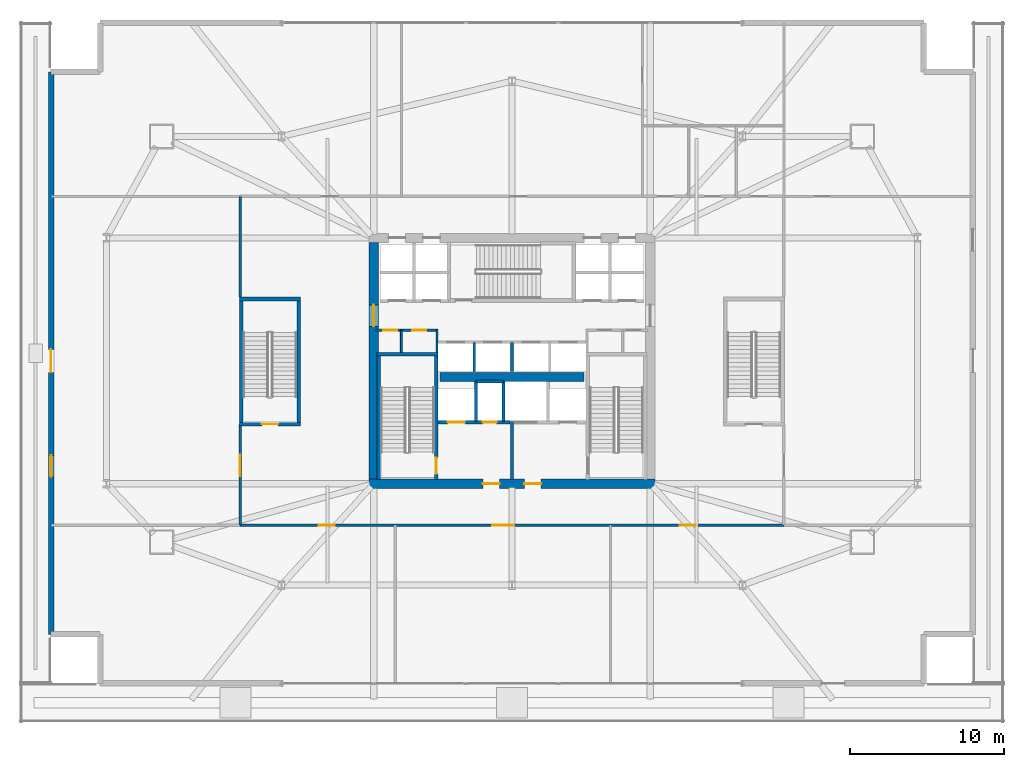
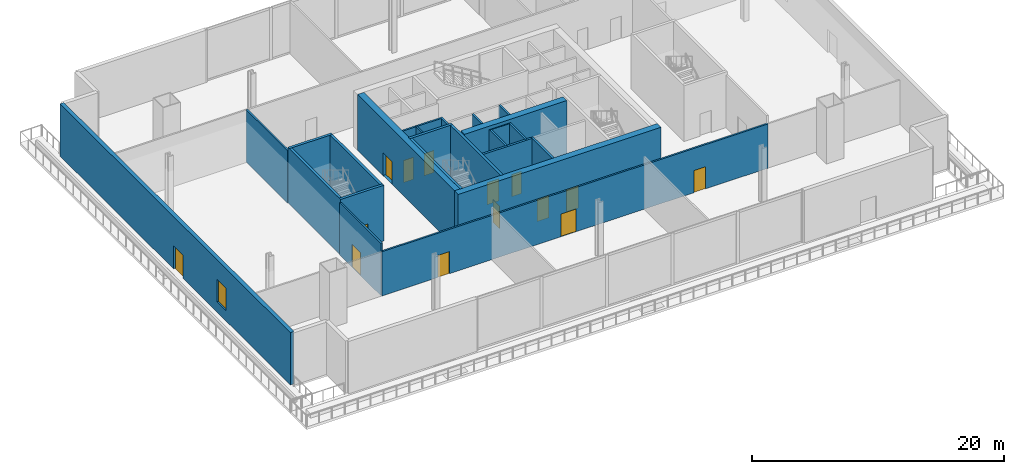
# One storey, part 10 of 20: 24 walls, 14 doors, 1 window, 15 openings.
"""IFC4 building model written with IfcOpenShell, lengths in metres."""

from ifc_helpers import new_model, si_unit, direction, frame, frame_2d, origin, place, context, subcontext, project, spatial, rectangle, extrude, material, layer, layer_set, type_object, element, fill, save


model = new_model("IFC4")

# Units and contexts
model_context = context("Model", 3, precision=1e-05, world=origin(), true_north=direction((0.0, 1.0)))
body_context = subcontext(model_context, "Body", "Model", "MODEL_VIEW")
ifc_project = project(units=[si_unit("LENGTHUNIT", "METRE"), si_unit("AREAUNIT", "SQUARE_METRE"), si_unit("VOLUMEUNIT", "CUBIC_METRE"), si_unit("PLANEANGLEUNIT", "RADIAN"), si_unit("MASSUNIT", "GRAM", prefix="KILO")], contexts=[model_context])

# Site, building, storey
site_placement = place(None, origin())
site = spatial("IfcSite", under=ifc_project, at=site_placement, CompositionType="ELEMENT")
building_placement = place(site_placement, origin())
building = spatial("IfcBuilding", under=site, at=building_placement, Name="Haldenkirk Collegiate Tower", CompositionType="ELEMENT")
storey_placement = place(building_placement, frame((0.0, 0.0, 6.0)))
storey = spatial("IfcBuildingStorey", under=building, at=storey_placement, Name="L01", CompositionType="ELEMENT", Elevation=6.0)

# Wall, openings, doors
ifc_material_1 = material(Name="Concrete f'c 70 MPa", Category="concrete")
ifc_layer_1 = layer(ifc_material_1, 0.60009765625)
ifc_layer_set_1 = layer_set([ifc_layer_1], Name="Concrete f'c 70 MPa")
wall_type_1 = type_object("IfcWallType", Name="WL-CORE-600", PredefinedType="SHEAR", material=ifc_layer_set_1)
wall_1_placement = place(storey_placement, frame((26.699951171875, 18.0, 0.0), z_axis=(0.0, 0.0, 1.0), x_axis=(1.0, 0.0, 0.0)))
wall_1 = element("IfcWall", 1, at=wall_1_placement, inside=storey, type_object=wall_type_1, Name="L01 central core shear wall S", PredefinedType="SHEAR", context=body_context, shape_type="SweptSolid", body=[
    extrude(rectangle(XDim=18.60009765625, YDim=0.60009765625, at=frame_2d((9.300048828125, 0.0))), origin(), (0.0, 0.0, 1.0), 5.39990234375),
])
opening_1_placement = place(wall_1_placement, frame((7.39990234375, 0.0, 0.0)))
opening_1 = element("IfcOpeningElement", 2, at=opening_1_placement, cuts=wall_1, Name="Opening D-02", PredefinedType="OPENING", context=body_context, shape_type="SweptSolid", body=[
    extrude(rectangle(XDim=1.10009765625, YDim=2.14990234375, at=frame_2d((0.550048828125, 1.074951171875))), frame((0.0, 0.31005859375, 0.0), z_axis=(0.0, -1.0, 0.0), x_axis=(1.0, 0.0, 0.0)), (0.0, 0.0, 1.0), 0.6201171875),
])
opening_2_placement = place(wall_1_placement, frame((10.10009765625, 0.0, 0.0)))
opening_2 = element("IfcOpeningElement", 3, at=opening_2_placement, cuts=wall_1, Name="Opening D-02", PredefinedType="OPENING", context=body_context, shape_type="SweptSolid", body=[
    extrude(rectangle(XDim=1.10009765625, YDim=2.14990234375, at=frame_2d((0.550048828125, 1.074951171875))), frame((0.0, 0.31005859375, 0.0), z_axis=(0.0, -1.0, 0.0), x_axis=(1.0, 0.0, 0.0)), (0.0, 0.0, 1.0), 0.6201171875),
])
ifc_material_2 = material(Name="Galvanized fire-rated hollow steel door", Category="steel")
ifc_layer_2 = layer(ifc_material_2, 0.06005859375)
ifc_layer_set_2 = layer_set([ifc_layer_2], Name="Galvanized fire-rated hollow steel door")
door_type_1 = type_object("IfcDoorType", Name="DR-STAIR-FD90-1100", OperationType="NOTDEFINED", PredefinedType="DOOR", material=ifc_layer_set_2)
door_1_placement = place(opening_1_placement, origin())
door_1 = element("IfcDoor", 4, at=door_1_placement, inside=storey, type_object=door_type_1, Name="L01 Firefighting Lobby 1 door", OperationType="SINGLE_SWING_RIGHT", OverallHeight=2.14990234375, OverallWidth=1.10009765625, PredefinedType="DOOR", context=body_context, shape_type="SweptSolid", body=[
    extrude(rectangle(XDim=1.10009765625, YDim=2.14990234375, at=frame_2d((0.550048828125, 1.074951171875))), frame((0.0, 0.02490234375, 0.0), z_axis=(0.0, -1.0, 0.0), x_axis=(1.0, 0.0, 0.0)), (0.0, 0.0, 1.0), 0.050048828125),
])
fill(opening_1, door_1)
door_2_placement = place(opening_2_placement, origin())
door_2 = element("IfcDoor", 5, at=door_2_placement, inside=storey, type_object=door_type_1, Name="L01 Firefighting Lobby 2 door", OperationType="SINGLE_SWING_LEFT", OverallHeight=2.14990234375, OverallWidth=1.10009765625, PredefinedType="DOOR", context=body_context, shape_type="SweptSolid", body=[
    extrude(rectangle(XDim=1.10009765625, YDim=2.14990234375, at=frame_2d((0.550048828125, 1.074951171875))), frame((0.0, 0.02490234375, 0.0), z_axis=(0.0, -1.0, 0.0), x_axis=(1.0, 0.0, 0.0)), (0.0, 0.0, 1.0), 0.050048828125),
])
fill(opening_2, door_2)

# Wall, opening, door
wall_2_placement = place(storey_placement, frame((27.0, 18.300048828125, 0.0), z_axis=(0.0, 0.0, 1.0), x_axis=(0.0, 1.0, 0.0)))
wall_2 = element("IfcWall", 6, at=wall_2_placement, inside=storey, type_object=wall_type_1, Name="L01 central core shear wall W", PredefinedType="SHEAR", context=body_context, shape_type="SweptSolid", body=[
    extrude(rectangle(XDim=15.39990234375, YDim=0.60009765625, at=frame_2d((7.699951171875, 0.0))), origin(), (0.0, 0.0, 1.0), 5.39990234375),
])
opening_3_placement = place(wall_2_placement, frame((9.93994140625, 0.0, 0.0)))
opening_3 = element("IfcOpeningElement", 7, at=opening_3_placement, cuts=wall_2, Name="Opening D-03", PredefinedType="OPENING", context=body_context, shape_type="SweptSolid", body=[
    extrude(rectangle(XDim=1.39990234375, YDim=2.199951171875, at=frame_2d((0.699951171875, 1.10009765625))), frame((0.0, 0.31005859375, 0.0), z_axis=(0.0, -1.0, 0.0), x_axis=(1.0, 0.0, 0.0)), (0.0, 0.0, 1.0), 0.6201171875),
])
ifc_layer_3 = layer(ifc_material_2, 0.06005859375)
ifc_layer_set_3 = layer_set([ifc_layer_3], Name="Galvanized fire-rated hollow steel door")
door_type_2 = type_object("IfcDoorType", Name="DR-LOBBY-FD90-1400", OperationType="NOTDEFINED", PredefinedType="DOOR", material=ifc_layer_set_3)
door_3_placement = place(opening_3_placement, origin())
door_3 = element("IfcDoor", 8, at=door_3_placement, inside=storey, type_object=door_type_2, Name="L01 west lift lobby portal", OperationType="DOUBLE_DOOR_SINGLE_SWING", OverallHeight=2.199951171875, OverallWidth=1.39990234375, PredefinedType="DOOR", context=body_context, shape_type="SweptSolid", body=[
    extrude(rectangle(XDim=1.39990234375, YDim=2.199951171875, at=frame_2d((0.699951171875, 1.10009765625))), frame((0.0, 0.02490234375, 0.0), z_axis=(0.0, -1.0, 0.0), x_axis=(1.0, 0.0, 0.0)), (0.0, 0.0, 1.0), 0.050048828125),
])
fill(opening_3, door_3)

# Wall
wall_3_placement = place(storey_placement, frame((31.31005859375, 24.949951171875, 0.0), z_axis=(0.0, 0.0, 1.0), x_axis=(1.0, 0.0, 0.0)))
element("IfcWall", 9, at=wall_3_placement, inside=storey, type_object=wall_type_1, Name="L01 central core spine shear wall", PredefinedType="SHEAR", context=body_context, shape_type="SweptSolid", body=[
    extrude(rectangle(XDim=9.3798828125, YDim=0.60009765625, at=frame_2d((4.68994140625, 0.0))), origin(), (0.0, 0.0, 1.0), 5.39990234375),
])

# Wall, openings, door, window
ifc_material_3 = material(Name="Precast concrete f'c 40 MPa", Category="concrete")
ifc_layer_4 = layer(ifc_material_3, 0.360107421875)
ifc_layer_set_4 = layer_set([ifc_layer_4], Name="Precast concrete f'c 40 MPa")
wall_type_2 = type_object("IfcWallType", Name="WL-EXT-POD-360", PredefinedType="STANDARD", material=ifc_layer_set_4)
wall_4_placement = place(storey_placement, frame((6.0, 8.199951171875, 0.0), z_axis=(0.0, 0.0, 1.0), x_axis=(0.0, 1.0, 0.0)))
wall_4 = element("IfcWall", 10, at=wall_4_placement, inside=storey, type_object=wall_type_2, Name="L01 podium bronze precast wall 10", PredefinedType="STANDARD", context=body_context, shape_type="SweptSolid", body=[
    extrude(rectangle(XDim=36.60009765625, YDim=0.360107421875, at=frame_2d((18.300048828125, 0.0))), origin(), (0.0, 0.0, 1.0), 5.070068359375),
])
opening_4_placement = place(wall_4_placement, frame((17.050048828125, 0.0, 0.0)))
opening_4 = element("IfcOpeningElement", 11, at=opening_4_placement, cuts=wall_4, Name="Opening D-PT15", PredefinedType="OPENING", context=body_context, shape_type="SweptSolid", body=[
    extrude(rectangle(XDim=1.5, YDim=2.25, at=frame_2d((0.75, 1.125))), frame((0.0, 0.18994140625, 0.0), z_axis=(0.0, -1.0, 0.0), x_axis=(1.0, 0.0, 0.0)), (0.0, 0.0, 1.0), 0.380126953125),
])
opening_5_placement = place(wall_4_placement, frame((10.248046875, 0.0, 1.0)))
opening_5 = element("IfcOpeningElement", 12, at=opening_5_placement, cuts=wall_4, Name="Opening W-02", PredefinedType="OPENING", context=body_context, shape_type="SweptSolid", body=[
    extrude(rectangle(XDim=1.39990234375, YDim=2.199951171875, at=frame_2d((0.699951171875, 1.10009765625))), frame((0.0, 0.18994140625, 0.0), z_axis=(0.0, -1.0, 0.0), x_axis=(1.0, 0.0, 0.0)), (0.0, 0.0, 1.0), 0.380126953125),
])
ifc_material_4 = material(Name="Anodised architectural bronze aluminium", Category="aluminium")
ifc_layer_5 = layer(ifc_material_4, 0.080078125)
ifc_layer_set_5 = layer_set([ifc_layer_5], Name="Anodised architectural bronze aluminium")
door_type_3 = type_object("IfcDoorType", Name="DR-EXT-PTER-1500", OperationType="NOTDEFINED", PredefinedType="DOOR", material=ifc_layer_set_5)
door_4_placement = place(opening_4_placement, origin())
door_4 = element("IfcDoor", 13, at=door_4_placement, inside=storey, type_object=door_type_3, Name="L01 W cascade terrace door", OperationType="DOUBLE_DOOR_SINGLE_SWING", OverallHeight=2.25, OverallWidth=1.5, PredefinedType="DOOR", context=body_context, shape_type="SweptSolid", body=[
    extrude(rectangle(XDim=1.5, YDim=2.25, at=frame_2d((0.75, 1.125))), frame((0.0, 0.02490234375, 0.0), z_axis=(0.0, -1.0, 0.0), x_axis=(1.0, 0.0, 0.0)), (0.0, 0.0, 1.0), 0.050048828125),
])
fill(opening_4, door_4)
ifc_material_5 = material(Name="Low-E argon triple insulating glass", Category="glass")
ifc_layer_6 = layer(ifc_material_5, 0.090087890625)
ifc_layer_set_6 = layer_set([ifc_layer_6], Name="Low-E argon triple insulating glass")
window_type = type_object("IfcWindowType", Name="WN-POD-1400X2200", PartitioningType="SINGLE_PANEL", PredefinedType="WINDOW", material=ifc_layer_set_6)
window_placement = place(opening_5_placement, origin())
window = element("IfcWindow", 14, at=window_placement, inside=storey, type_object=window_type, Name="L01 podium academic window 10A", OverallHeight=2.199951171875, OverallWidth=1.39990234375, PartitioningType="SINGLE_PANEL", PredefinedType="WINDOW", context=body_context, shape_type="SweptSolid", body=[
    extrude(rectangle(XDim=1.39990234375, YDim=2.199951171875, at=frame_2d((0.699951171875, 1.10009765625))), frame((0.0, 0.030029296875, 0.0), z_axis=(0.0, -1.0, 0.0), x_axis=(1.0, 0.0, 0.0)), (0.0, 0.0, 1.0), 0.06005859375),
])
fill(opening_5, window)

# Wall, openings, doors
ifc_material_6 = material(Name="Acoustic fire-rated gypsum partition", Category="concrete")
ifc_layer_7 = layer(ifc_material_6, 0.159912109375)
ifc_layer_set_7 = layer_set([ifc_layer_7], Name="Acoustic fire-rated gypsum partition")
wall_type_3 = type_object("IfcWallType", Name="WL-INT-CORR-160", PredefinedType="PARTITIONING", material=ifc_layer_set_7)
wall_5_placement = place(storey_placement, frame((27.14990234375, 27.97998046875, 0.0), z_axis=(0.0, 0.0, 1.0), x_axis=(1.0, 0.0, 0.0)))
wall_5 = element("IfcWall", 15, at=wall_5_placement, inside=storey, type_object=wall_type_3, Name="L01 interior partition IW-L01-VCSW-N", PredefinedType="PARTITIONING", context=body_context, shape_type="SweptSolid", body=[
    extrude(rectangle(XDim=4.050048828125, YDim=0.159912109375, at=frame_2d((2.02490234375, 0.0))), origin(), (0.0, 0.0, 1.0), 5.070068359375),
])
opening_6_placement = place(wall_5_placement, frame((0.469970703125, 0.0, 0.0)))
opening_6 = element("IfcOpeningElement", 16, at=opening_6_placement, cuts=wall_5, Name="Opening D-11", PredefinedType="OPENING", context=body_context, shape_type="SweptSolid", body=[
    extrude(rectangle(XDim=0.89990234375, YDim=2.14990234375, at=frame_2d((0.449951171875, 1.074951171875))), frame((0.0, 0.08984375, 0.0), z_axis=(0.0, -1.0, 0.0), x_axis=(1.0, 0.0, 0.0)), (0.0, 0.0, 1.0), 0.179931640625),
])
opening_7_placement = place(wall_5_placement, frame((2.360107421875, 0.0, 0.0)))
opening_7 = element("IfcOpeningElement", 17, at=opening_7_placement, cuts=wall_5, Name="Opening D-11", PredefinedType="OPENING", context=body_context, shape_type="SweptSolid", body=[
    extrude(rectangle(XDim=0.89990234375, YDim=2.14990234375, at=frame_2d((0.449951171875, 1.074951171875))), frame((0.0, 0.08984375, 0.0), z_axis=(0.0, -1.0, 0.0), x_axis=(1.0, 0.0, 0.0)), (0.0, 0.0, 1.0), 0.179931640625),
])
ifc_material_7 = material(Name="Solid-core architectural oak fire door", Category="wood")
ifc_layer_8 = layer(ifc_material_7, 0.06005859375)
ifc_layer_set_8 = layer_set([ifc_layer_8], Name="Solid-core architectural oak fire door")
door_type_4 = type_object("IfcDoorType", Name="DR-INT-FD60-900", OperationType="NOTDEFINED", PredefinedType="DOOR", material=ifc_layer_set_8)
door_5_placement = place(opening_6_placement, origin())
door_5 = element("IfcDoor", 18, at=door_5_placement, inside=storey, type_object=door_type_4, Name="L01 core AV closet door", OperationType="SINGLE_SWING_LEFT", OverallHeight=2.14990234375, OverallWidth=0.89990234375, PredefinedType="DOOR", context=body_context, shape_type="SweptSolid", body=[
    extrude(rectangle(XDim=0.89990234375, YDim=2.14990234375, at=frame_2d((0.449951171875, 1.074951171875))), frame((0.0, 0.02490234375, 0.0), z_axis=(0.0, -1.0, 0.0), x_axis=(1.0, 0.0, 0.0)), (0.0, 0.0, 1.0), 0.050048828125),
])
fill(opening_6, door_5)
door_6_placement = place(opening_7_placement, origin())
door_6 = element("IfcDoor", 19, at=door_6_placement, inside=storey, type_object=door_type_4, Name="L01 core supply closet door", OperationType="SINGLE_SWING_RIGHT", OverallHeight=2.14990234375, OverallWidth=0.89990234375, PredefinedType="DOOR", context=body_context, shape_type="SweptSolid", body=[
    extrude(rectangle(XDim=0.89990234375, YDim=2.14990234375, at=frame_2d((0.449951171875, 1.074951171875))), frame((0.0, 0.02490234375, 0.0), z_axis=(0.0, -1.0, 0.0), x_axis=(1.0, 0.0, 0.0)), (0.0, 0.0, 1.0), 0.050048828125),
])
fill(opening_7, door_6)

# Wall
wall_6_placement = place(storey_placement, frame((31.1201171875, 26.5400390625, 0.0), z_axis=(0.0, 0.0, 1.0), x_axis=(0.0, 1.0, 0.0)))
element("IfcWall", 20, at=wall_6_placement, inside=storey, type_object=wall_type_3, Name="L01 interior partition IW-L01-VCSW-E", PredefinedType="PARTITIONING", context=body_context, shape_type="SweptSolid", body=[
    extrude(rectangle(XDim=1.510009765625, YDim=0.159912109375, at=frame_2d((0.7548828125, 0.0))), origin(), (0.0, 0.0, 1.0), 5.070068359375),
])

# Wall, openings, doors
wall_7_placement = place(storey_placement, frame((18.300048828125, 15.300048828125, 0.0), z_axis=(0.0, 0.0, 1.0), x_axis=(1.0, 0.0, 0.0)))
wall_7 = element("IfcWall", 21, at=wall_7_placement, inside=storey, type_object=wall_type_3, Name="L01 interior partition IW-L01-CS", PredefinedType="PARTITIONING", context=body_context, shape_type="SweptSolid", body=[
    extrude(rectangle(XDim=35.39990234375, YDim=0.159912109375, at=frame_2d((17.699951171875, 0.0))), origin(), (0.0, 0.0, 1.0), 4.2919921875),
])
opening_8_placement = place(wall_7_placement, frame((5.125, 0.0, 0.0)))
opening_8 = element("IfcOpeningElement", 22, at=opening_8_placement, cuts=wall_7, Name="Opening D-09", PredefinedType="OPENING", context=body_context, shape_type="SweptSolid", body=[
    extrude(rectangle(XDim=1.050048828125, YDim=2.14990234375, at=frame_2d((0.52490234375, 1.074951171875))), frame((0.0, 0.08984375, 0.0), z_axis=(0.0, -1.0, 0.0), x_axis=(1.0, 0.0, 0.0)), (0.0, 0.0, 1.0), 0.179931640625),
])
opening_9_placement = place(wall_7_placement, frame((16.39990234375, 0.0, 0.0)))
opening_9 = element("IfcOpeningElement", 23, at=opening_9_placement, cuts=wall_7, Name="Opening D-07", PredefinedType="OPENING", context=body_context, shape_type="SweptSolid", body=[
    extrude(rectangle(XDim=1.39990234375, YDim=2.199951171875, at=frame_2d((0.699951171875, 1.10009765625))), frame((0.0, 0.08984375, 0.0), z_axis=(0.0, -1.0, 0.0), x_axis=(1.0, 0.0, 0.0)), (0.0, 0.0, 1.0), 0.179931640625),
])
opening_10_placement = place(wall_7_placement, frame((28.625, 0.0, 0.0)))
opening_10 = element("IfcOpeningElement", 24, at=opening_10_placement, cuts=wall_7, Name="Opening D-09", PredefinedType="OPENING", context=body_context, shape_type="SweptSolid", body=[
    extrude(rectangle(XDim=1.050048828125, YDim=2.14990234375, at=frame_2d((0.52490234375, 1.074951171875))), frame((0.0, 0.08984375, 0.0), z_axis=(0.0, -1.0, 0.0), x_axis=(1.0, 0.0, 0.0)), (0.0, 0.0, 1.0), 0.179931640625),
])
ifc_layer_9 = layer(ifc_material_7, 0.06005859375)
ifc_layer_set_9 = layer_set([ifc_layer_9], Name="Solid-core architectural oak fire door")
door_type_5 = type_object("IfcDoorType", Name="DR-INT-FD60-1050", OperationType="NOTDEFINED", PredefinedType="DOOR", material=ifc_layer_set_9)
door_7_placement = place(opening_8_placement, origin())
door_7 = element("IfcDoor", 25, at=door_7_placement, inside=storey, type_object=door_type_5, Name="L01 south-west door", OperationType="SINGLE_SWING_LEFT", OverallHeight=2.14990234375, OverallWidth=1.050048828125, PredefinedType="DOOR", context=body_context, shape_type="SweptSolid", body=[
    extrude(rectangle(XDim=1.050048828125, YDim=2.14990234375, at=frame_2d((0.52490234375, 1.074951171875))), frame((0.0, 0.02490234375, 0.0), z_axis=(0.0, -1.0, 0.0), x_axis=(1.0, 0.0, 0.0)), (0.0, 0.0, 1.0), 0.050048828125),
])
fill(opening_8, door_7)
door_8_placement = place(opening_10_placement, origin())
door_8 = element("IfcDoor", 26, at=door_8_placement, inside=storey, type_object=door_type_5, Name="L01 south-east door", OperationType="SINGLE_SWING_RIGHT", OverallHeight=2.14990234375, OverallWidth=1.050048828125, PredefinedType="DOOR", context=body_context, shape_type="SweptSolid", body=[
    extrude(rectangle(XDim=1.050048828125, YDim=2.14990234375, at=frame_2d((0.52490234375, 1.074951171875))), frame((0.0, 0.02490234375, 0.0), z_axis=(0.0, -1.0, 0.0), x_axis=(1.0, 0.0, 0.0)), (0.0, 0.0, 1.0), 0.050048828125),
])
fill(opening_10, door_8)
ifc_layer_10 = layer(ifc_material_2, 0.06005859375)
ifc_layer_set_10 = layer_set([ifc_layer_10], Name="Galvanized fire-rated hollow steel door")
door_type_6 = type_object("IfcDoorType", Name="DR-LOBBY-FD60-1400", OperationType="NOTDEFINED", PredefinedType="DOOR", material=ifc_layer_set_10)
door_9_placement = place(opening_9_placement, origin())
door_9 = element("IfcDoor", 27, at=door_9_placement, inside=storey, type_object=door_type_6, Name="L01 south gallery door", OperationType="DOUBLE_DOOR_SINGLE_SWING", OverallHeight=2.199951171875, OverallWidth=1.39990234375, PredefinedType="DOOR", context=body_context, shape_type="SweptSolid", body=[
    extrude(rectangle(XDim=1.39990234375, YDim=2.199951171875, at=frame_2d((0.699951171875, 1.10009765625))), frame((0.0, 0.02490234375, 0.0), z_axis=(0.0, -1.0, 0.0), x_axis=(1.0, 0.0, 0.0)), (0.0, 0.0, 1.0), 0.050048828125),
])
fill(opening_9, door_9)

# Wall, opening, door
wall_8_placement = place(storey_placement, frame((18.300048828125, 15.300048828125, 0.0), z_axis=(0.0, 0.0, 1.0), x_axis=(0.0, 1.0, 0.0)))
wall_8 = element("IfcWall", 28, at=wall_8_placement, inside=storey, type_object=wall_type_3, Name="L01 interior partition IW-L01-CW1", PredefinedType="PARTITIONING", context=body_context, shape_type="SweptSolid", body=[
    extrude(rectangle(XDim=6.550048828125, YDim=0.159912109375, at=frame_2d((3.27490234375, 0.0))), origin(), (0.0, 0.0, 1.0), 5.070068359375),
])
opening_11_placement = place(wall_8_placement, frame((3.199951171875, 0.0, 0.0)))
opening_11 = element("IfcOpeningElement", 29, at=opening_11_placement, cuts=wall_8, Name="Opening D-07", PredefinedType="OPENING", context=body_context, shape_type="SweptSolid", body=[
    extrude(rectangle(XDim=1.39990234375, YDim=2.199951171875, at=frame_2d((0.699951171875, 1.10009765625))), frame((0.0, 0.08984375, 0.0), z_axis=(0.0, -1.0, 0.0), x_axis=(1.0, 0.0, 0.0)), (0.0, 0.0, 1.0), 0.179931640625),
])
door_10_placement = place(opening_11_placement, origin())
door_10 = element("IfcDoor", 30, at=door_10_placement, inside=storey, type_object=door_type_6, Name="L01 west wing door", OperationType="DOUBLE_DOOR_SINGLE_SWING", OverallHeight=2.199951171875, OverallWidth=1.39990234375, PredefinedType="DOOR", context=body_context, shape_type="SweptSolid", body=[
    extrude(rectangle(XDim=1.39990234375, YDim=2.199951171875, at=frame_2d((0.699951171875, 1.10009765625))), frame((0.0, 0.02490234375, 0.0), z_axis=(0.0, -1.0, 0.0), x_axis=(1.0, 0.0, 0.0)), (0.0, 0.0, 1.0), 0.050048828125),
])
fill(opening_11, door_10)

# Walls
wall_9_placement = place(storey_placement, frame((18.300048828125, 30.14990234375, 0.0), z_axis=(0.0, 0.0, 1.0), x_axis=(0.0, 1.0, 0.0)))
element("IfcWall", 31, at=wall_9_placement, inside=storey, type_object=wall_type_3, Name="L01 interior partition IW-L01-CW2", PredefinedType="PARTITIONING", context=body_context, shape_type="SweptSolid", body=[
    extrude(rectangle(XDim=6.550048828125, YDim=0.159912109375, at=frame_2d((3.27490234375, 0.0))), origin(), (0.0, 0.0, 1.0), 5.070068359375),
])
ifc_material_8 = material(Name="Fire-rated gypsum shaftboard assembly", Category="concrete")
ifc_layer_11 = layer(ifc_material_8, 0.179931640625)
ifc_layer_set_11 = layer_set([ifc_layer_11], Name="Fire-rated gypsum shaftboard assembly")
wall_type_4 = type_object("IfcWallType", Name="WL-INT-SHAFT-180", PredefinedType="PARTITIONING", material=ifc_layer_set_11)
for number, where, z_axis, x_axis, name in (
    (32, (33.64990234375, 22.050048828125, 0.0), (0.0, 0.0, 1.0), (0.0, 1.0, 0.0), "L01 interior partition IW-L01-FL1E"),
    (33, (35.449951171875, 22.050048828125, 0.0), (0.0, 0.0, 1.0), (0.0, 1.0, 0.0), "L01 interior partition IW-L01-GL1W"),
):
    element("IfcWall", number, at=place(storey_placement, frame(where, z_axis=z_axis, x_axis=x_axis)), inside=storey, type_object=wall_type_4, Name=name, PredefinedType="PARTITIONING", context=body_context, shape_type="SweptSolid", body=[
        extrude(rectangle(XDim=2.599853515625, YDim=0.179931640625, at=frame_2d((1.2998046875, 0.0))), origin(), (0.0, 0.0, 1.0), 5.070068359375),
    ])
wall_10_placement = place(storey_placement, frame((33.64990234375, 24.64990234375, 0.0), z_axis=(0.0, 0.0, 1.0), x_axis=(1.0, 0.0, 0.0)))
element("IfcWall", 34, at=wall_10_placement, inside=storey, type_object=wall_type_4, Name="L01 interior partition IW-L01-RSRN", PredefinedType="PARTITIONING", context=body_context, shape_type="SweptSolid", body=[
    extrude(rectangle(XDim=1.800048828125, YDim=0.179931640625, at=frame_2d((0.89990234375, 0.0))), origin(), (0.0, 0.0, 1.0), 5.070068359375),
])
for number, where, z_axis, x_axis, name in (
    (35, (33.5400390625, 25.300048828125, 0.0), (0.0, 0.0, 1.0), (0.0, 1.0, 0.0), "L01 interior partition IW-L01-PHV1"),
    (36, (36.0, 25.300048828125, 0.0), (0.0, 0.0, 1.0), (0.0, 1.0, 0.0), "L01 interior partition IW-L01-PHV2"),
):
    element("IfcWall", number, at=place(storey_placement, frame(where, z_axis=z_axis, x_axis=x_axis)), inside=storey, type_object=wall_type_4, Name=name, PredefinedType="PARTITIONING", context=body_context, shape_type="SweptSolid", body=[
        extrude(rectangle(XDim=1.89990234375, YDim=0.179931640625, at=frame_2d((0.949951171875, 0.0))), origin(), (0.0, 0.0, 1.0), 5.070068359375),
    ])
ifc_layer_12 = layer(ifc_material_8, 0.199951171875)
ifc_layer_set_12 = layer_set([ifc_layer_12], Name="Fire-rated gypsum shaftboard assembly")
wall_type_5 = type_object("IfcWallType", Name="WL-INT-SHAFT-200", PredefinedType="PARTITIONING", material=ifc_layer_set_12)
wall_11_placement = place(storey_placement, frame((36.0, 18.280029296875, 0.0), z_axis=(0.0, 0.0, 1.0), x_axis=(0.0, 1.0, 0.0)))
element("IfcWall", 37, at=wall_11_placement, inside=storey, type_object=wall_type_5, Name="L01 interior partition IW-L01-FFLM", PredefinedType="PARTITIONING", context=body_context, shape_type="SweptSolid", body=[
    extrude(rectangle(XDim=3.77001953125, YDim=0.199951171875, at=frame_2d((1.885009765625, 0.0))), origin(), (0.0, 0.0, 1.0), 5.070068359375),
])

# Wall, openings, doors
wall_12_placement = place(storey_placement, frame((31.18994140625, 22.0, 0.0), z_axis=(0.0, 0.0, 1.0), x_axis=(1.0, 0.0, 0.0)))
wall_12 = element("IfcWall", 38, at=wall_12_placement, inside=storey, type_object=wall_type_5, Name="L01 interior partition IW-L01-FFL1N", PredefinedType="PARTITIONING", context=body_context, shape_type="SweptSolid", body=[
    extrude(rectangle(XDim=4.68994140625, YDim=0.199951171875, at=frame_2d((2.344970703125, 0.0))), origin(), (0.0, 0.0, 1.0), 5.070068359375),
])
opening_12_placement = place(wall_12_placement, frame((2.909912109375, 0.0, 0.0)))
opening_12 = element("IfcOpeningElement", 39, at=opening_12_placement, cuts=wall_12, Name="Opening D-06", PredefinedType="OPENING", context=body_context, shape_type="SweptSolid", body=[
    extrude(rectangle(XDim=0.89990234375, YDim=2.14990234375, at=frame_2d((0.449951171875, 1.074951171875))), frame((0.0, 0.10986328125, 0.0), z_axis=(0.0, -1.0, 0.0), x_axis=(1.0, 0.0, 0.0)), (0.0, 0.0, 1.0), 0.219970703125),
])
opening_13_placement = place(wall_12_placement, frame((0.635009765625, 0.0, 0.0)))
opening_13 = element("IfcOpeningElement", 40, at=opening_13_placement, cuts=wall_12, Name="Opening LD-12", PredefinedType="OPENING", context=body_context, shape_type="SweptSolid", body=[
    extrude(rectangle(XDim=1.10009765625, YDim=2.14990234375, at=frame_2d((0.550048828125, 1.074951171875))), frame((0.0, 0.10986328125, 0.0), z_axis=(0.0, -1.0, 0.0), x_axis=(1.0, 0.0, 0.0)), (0.0, 0.0, 1.0), 0.219970703125),
])
ifc_layer_13 = layer(ifc_material_2, 0.06005859375)
ifc_layer_set_13 = layer_set([ifc_layer_13], Name="Galvanized fire-rated hollow steel door")
door_type_7 = type_object("IfcDoorType", Name="DR-INT-FD90-900", OperationType="NOTDEFINED", PredefinedType="DOOR", material=ifc_layer_set_13)
door_11_placement = place(opening_12_placement, origin())
door_11 = element("IfcDoor", 41, at=door_11_placement, inside=storey, type_object=door_type_7, Name="L01 electrical riser door", OperationType="SINGLE_SWING_RIGHT", OverallHeight=2.14990234375, OverallWidth=0.89990234375, PredefinedType="DOOR", context=body_context, shape_type="SweptSolid", body=[
    extrude(rectangle(XDim=0.89990234375, YDim=2.14990234375, at=frame_2d((0.449951171875, 1.074951171875))), frame((0.0, 0.02490234375, 0.0), z_axis=(0.0, -1.0, 0.0), x_axis=(1.0, 0.0, 0.0)), (0.0, 0.0, 1.0), 0.050048828125),
])
fill(opening_12, door_11)
ifc_material_9 = material(Name="Brushed architectural stainless steel", Category="steel")
ifc_layer_14 = layer(ifc_material_9, 0.06005859375)
ifc_layer_set_14 = layer_set([ifc_layer_14], Name="Brushed architectural stainless steel")
door_type_8 = type_object("IfcDoorType", Name="LD-FIRE-1100", OperationType="NOTDEFINED", PredefinedType="DOOR", material=ifc_layer_set_14)
door_12_placement = place(opening_13_placement, origin())
door_12 = element("IfcDoor", 42, at=door_12_placement, inside=storey, type_object=door_type_8, Name="L01 Elevator FL1 sliding landing door", OperationType="SLIDING_TO_LEFT", OverallHeight=2.14990234375, OverallWidth=1.10009765625, PredefinedType="DOOR", context=body_context, shape_type="SweptSolid", body=[
    extrude(rectangle(XDim=1.10009765625, YDim=2.14990234375, at=frame_2d((0.550048828125, 1.074951171875))), frame((0.0, 0.02490234375, 0.0), z_axis=(0.0, -1.0, 0.0), x_axis=(1.0, 0.0, 0.0)), (0.0, 0.0, 1.0), 0.050048828125),
])
fill(opening_13, door_12)

# Wall
ifc_layer_15 = layer(ifc_material_6, 0.1201171875)
ifc_layer_set_15 = layer_set([ifc_layer_15], Name="Acoustic fire-rated gypsum partition")
wall_type_6 = type_object("IfcWallType", Name="WL-INT-WET-120", PredefinedType="PARTITIONING", material=ifc_layer_set_15)
wall_13_placement = place(storey_placement, frame((28.800048828125, 26.5400390625, 0.0), z_axis=(0.0, 0.0, 1.0), x_axis=(0.0, 1.0, 0.0)))
element("IfcWall", 43, at=wall_13_placement, inside=storey, type_object=wall_type_6, Name="L01 interior partition IW-L01-VCSW-M", PredefinedType="PARTITIONING", context=body_context, shape_type="SweptSolid", body=[
    extrude(rectangle(XDim=1.43994140625, YDim=0.1201171875, at=frame_2d((0.719970703125, 0.0))), origin(), (0.0, 0.0, 1.0), 5.070068359375),
])

# Wall, opening, door
ifc_material_10 = material(Name="Concrete f'c 55 MPa", Category="concrete")
ifc_layer_16 = layer(ifc_material_10, 0.239990234375)
ifc_layer_set_16 = layer_set([ifc_layer_16], Name="Concrete f'c 55 MPa")
wall_type_7 = type_object("IfcWallType", Name="WL-SHAFT-240", PredefinedType="SHEAR", material=ifc_layer_set_16)
wall_14_placement = place(storey_placement, frame((31.070068359375, 18.280029296875, 0.0), z_axis=(0.0, 0.0, 1.0), x_axis=(0.0, 1.0, 0.0)))
wall_14 = element("IfcWall", 44, at=wall_14_placement, inside=storey, type_object=wall_type_7, Name="L01 stair shaft shear wall SW-L01-ST1E", PredefinedType="SHEAR", context=body_context, shape_type="SweptSolid", body=[
    extrude(rectangle(XDim=8.260009765625, YDim=0.239990234375, at=frame_2d((4.1298828125, 0.0))), origin(), (0.0, 0.0, 1.0), 5.39990234375),
])
opening_14_placement = place(wall_14_placement, frame((0.364990234375, 0.0, 0.0)))
opening_14 = element("IfcOpeningElement", 45, at=opening_14_placement, cuts=wall_14, Name="Opening D-01", PredefinedType="OPENING", context=body_context, shape_type="SweptSolid", body=[
    extrude(rectangle(XDim=1.050048828125, YDim=2.14990234375, at=frame_2d((0.52490234375, 1.074951171875))), frame((0.0, 0.1298828125, 0.0), z_axis=(0.0, -1.0, 0.0), x_axis=(1.0, 0.0, 0.0)), (0.0, 0.0, 1.0), 0.260009765625),
])
ifc_layer_17 = layer(ifc_material_2, 0.06005859375)
ifc_layer_set_17 = layer_set([ifc_layer_17], Name="Galvanized fire-rated hollow steel door")
door_type_9 = type_object("IfcDoorType", Name="DR-STAIR-FD90-1050", OperationType="NOTDEFINED", PredefinedType="DOOR", material=ifc_layer_set_17)
door_13_placement = place(opening_14_placement, origin())
door_13 = element("IfcDoor", 46, at=door_13_placement, inside=storey, type_object=door_type_9, Name="L01 Stair 1 door", OperationType="SINGLE_SWING_LEFT", OverallHeight=2.14990234375, OverallWidth=1.050048828125, PredefinedType="DOOR", context=body_context, shape_type="SweptSolid", body=[
    extrude(rectangle(XDim=1.050048828125, YDim=2.14990234375, at=frame_2d((0.52490234375, 1.074951171875))), frame((0.0, 0.02490234375, 0.0), z_axis=(0.0, -1.0, 0.0), x_axis=(1.0, 0.0, 0.0)), (0.0, 0.0, 1.0), 0.050048828125),
])
fill(opening_14, door_13)

# Walls
wall_15_placement = place(storey_placement, frame((27.2099609375, 26.419921875, 0.0), z_axis=(0.0, 0.0, 1.0), x_axis=(1.0, 0.0, 0.0)))
element("IfcWall", 47, at=wall_15_placement, inside=storey, type_object=wall_type_7, Name="L01 stair shaft shear wall SW-L01-ST1N", PredefinedType="SHEAR", context=body_context, shape_type="SweptSolid", body=[
    extrude(rectangle(XDim=3.97998046875, YDim=0.239990234375, at=frame_2d((1.989990234375, 0.0))), origin(), (0.0, 0.0, 1.0), 5.39990234375),
])
wall_16_placement = place(storey_placement, frame((27.330078125, 18.280029296875, 0.0), z_axis=(0.0, 0.0, 1.0), x_axis=(0.0, 1.0, 0.0)))
element("IfcWall", 48, at=wall_16_placement, inside=storey, type_object=wall_type_7, Name="L01 stair shaft shear wall SW-L01-ST1W", PredefinedType="SHEAR", context=body_context, shape_type="SweptSolid", body=[
    extrude(rectangle(XDim=8.260009765625, YDim=0.239990234375, at=frame_2d((4.1298828125, 0.0))), origin(), (0.0, 0.0, 1.0), 5.39990234375),
])
for number, where, z_axis, x_axis, name in (
    (49, (18.3798828125, 21.760009765625, 0.0), (0.0, 0.0, 1.0), (0.0, 1.0, 0.0), "L01 stair shaft shear wall SW-L01-ST4W"),
    (50, (22.1201171875, 21.760009765625, 0.0), (0.0, 0.0, 1.0), (0.0, 1.0, 0.0), "L01 stair shaft shear wall SW-L01-ST4E"),
):
    element("IfcWall", number, at=place(storey_placement, frame(where, z_axis=z_axis, x_axis=x_axis)), inside=storey, type_object=wall_type_7, Name=name, PredefinedType="SHEAR", context=body_context, shape_type="SweptSolid", body=[
        extrude(rectangle(XDim=8.3798828125, YDim=0.239990234375, at=frame_2d((4.18994140625, 0.0))), origin(), (0.0, 0.0, 1.0), 5.39990234375),
    ])

# Wall, opening, door
wall_17_placement = place(storey_placement, frame((18.260009765625, 21.8798828125, 0.0), z_axis=(0.0, 0.0, 1.0), x_axis=(1.0, 0.0, 0.0)))
wall_17 = element("IfcWall", 51, at=wall_17_placement, inside=storey, type_object=wall_type_7, Name="L01 stair shaft shear wall SW-L01-ST4S", PredefinedType="SHEAR", context=body_context, shape_type="SweptSolid", body=[
    extrude(rectangle(XDim=3.97998046875, YDim=0.239990234375, at=frame_2d((1.989990234375, 0.0))), origin(), (0.0, 0.0, 1.0), 5.39990234375),
])
opening_15_placement = place(wall_17_placement, frame((1.465087890625, 0.0, 0.0)))
opening_15 = element("IfcOpeningElement", 52, at=opening_15_placement, cuts=wall_17, Name="Opening D-01", PredefinedType="OPENING", context=body_context, shape_type="SweptSolid", body=[
    extrude(rectangle(XDim=1.050048828125, YDim=2.14990234375, at=frame_2d((0.52490234375, 1.074951171875))), frame((0.0, 0.1298828125, 0.0), z_axis=(0.0, -1.0, 0.0), x_axis=(1.0, 0.0, 0.0)), (0.0, 0.0, 1.0), 0.260009765625),
])
door_14_placement = place(opening_15_placement, origin())
door_14 = element("IfcDoor", 53, at=door_14_placement, inside=storey, type_object=door_type_9, Name="L01 Stair 4 door", OperationType="SINGLE_SWING_LEFT", OverallHeight=2.14990234375, OverallWidth=1.050048828125, PredefinedType="DOOR", context=body_context, shape_type="SweptSolid", body=[
    extrude(rectangle(XDim=1.050048828125, YDim=2.14990234375, at=frame_2d((0.52490234375, 1.074951171875))), frame((0.0, 0.02490234375, 0.0), z_axis=(0.0, -1.0, 0.0), x_axis=(1.0, 0.0, 0.0)), (0.0, 0.0, 1.0), 0.050048828125),
])
fill(opening_15, door_14)

# Wall
wall_18_placement = place(storey_placement, frame((18.260009765625, 30.02001953125, 0.0), z_axis=(0.0, 0.0, 1.0), x_axis=(1.0, 0.0, 0.0)))
element("IfcWall", 54, at=wall_18_placement, inside=storey, type_object=wall_type_7, Name="L01 stair shaft shear wall SW-L01-ST4N", PredefinedType="SHEAR", context=body_context, shape_type="SweptSolid", body=[
    extrude(rectangle(XDim=3.97998046875, YDim=0.239990234375, at=frame_2d((1.989990234375, 0.0))), origin(), (0.0, 0.0, 1.0), 5.39990234375),
])

save(model, "model.ifc")
